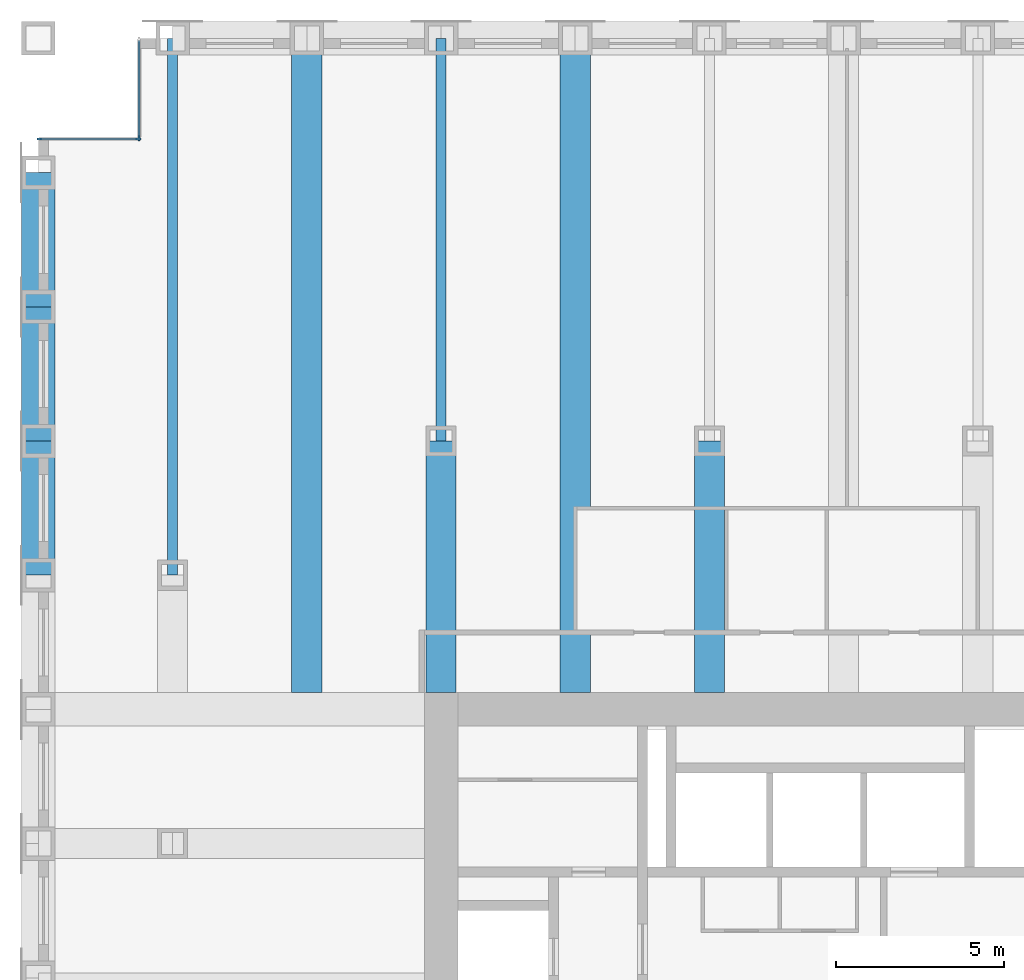
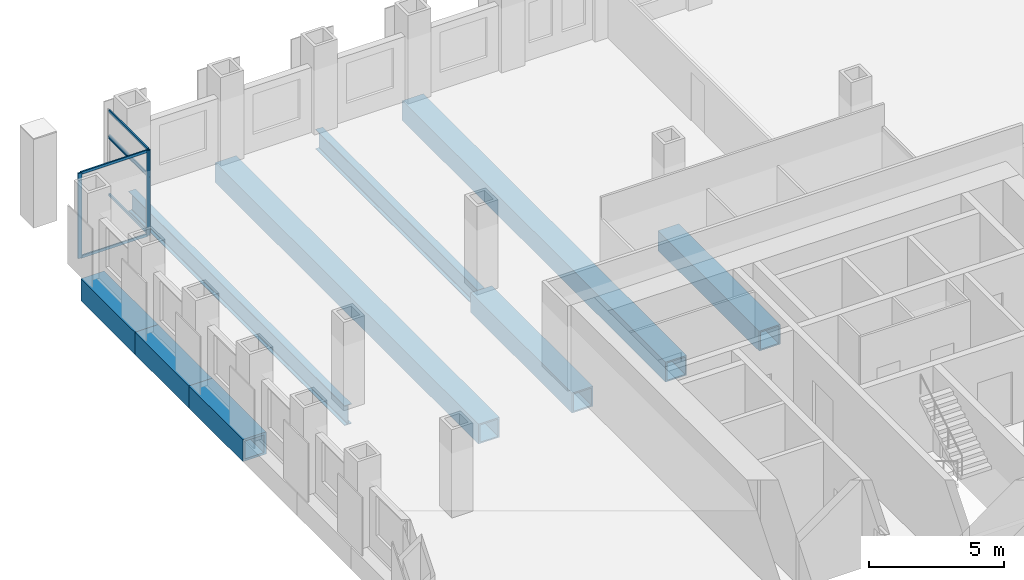
# One storey, part 5 of 13: 10 members, 9 beams, 3 elements without a shape of their own.
"""IFC4 building model written with IfcOpenShell, lengths in metres."""

from ifc_helpers import new_model, si_unit, direction, frame, origin, origin_2d, place, context, subcontext, project, spatial, rectangle, hollow_rectangle, i_section, extrude, material, material_profile, profile_set, type_object, element, aggregate, save


model = new_model("IFC4")

# Units and contexts
model_context = context("Model", 3, precision=1e-05, world=origin(), true_north=direction((0.0, 1.0)))
body_context = subcontext(model_context, "Body", "Model", "MODEL_VIEW")
ifc_project = project(units=[si_unit("LENGTHUNIT", "METRE"), si_unit("AREAUNIT", "SQUARE_METRE"), si_unit("VOLUMEUNIT", "CUBIC_METRE"), si_unit("PLANEANGLEUNIT", "RADIAN"), si_unit("MASSUNIT", "GRAM", prefix="KILO")], contexts=[model_context])

# Site, building, storey
site_placement = place(None, origin())
site = spatial("IfcSite", under=ifc_project, at=site_placement, CompositionType="ELEMENT")
building_placement = place(site_placement, origin())
building = spatial("IfcBuilding", under=site, at=building_placement, Name="Rimbunsela Tower", CompositionType="ELEMENT")
storey_placement = place(building_placement, frame((0.0, 0.0, 199.800048828125)))
storey = spatial("IfcBuildingStorey", under=building, at=storey_placement, Name="L48", CompositionType="ELEMENT", Elevation=199.800048828125)

# Beams
ifc_material_1 = material(Name="Steel BJ 55 (fy 410 MPa)", Category="steel")
ifc_material_profile_1 = material_profile(ifc_material_1, hollow_rectangle(XDim=1.0, YDim=1.0, WallThickness=0.10009765625, at=origin_2d()), Name="BOX 1000x1000x100")
ifc_profile_set_1 = profile_set([ifc_material_profile_1], Name="Steel BJ 55 (fy 410 MPa)")
beam_type_1 = type_object("IfcBeamType", Name="Beam BOX 1000x1000x100", PredefinedType="BEAM", material=ifc_profile_set_1)
for number, where, z_axis, x_axis, name in (
    (1, (6.0, 40.0, -0.650146484375), (0.0, 1.0, 0.0), (-1.0, 0.0, 0.0), "Beam B3 L48"),
    (2, (6.0, 44.0, -0.650146484375), (0.0, 1.0, 0.0), (-1.0, 0.0, 0.0), "Beam B3 L48"),
    (3, (6.0, 48.0, -0.650146484375), (0.0, 1.0, 0.0), (-1.0, 0.0, 0.0), "Beam B3 L48"),
):
    element("IfcBeam", number, at=place(storey_placement, frame(where, z_axis=z_axis, x_axis=x_axis)), inside=storey, type_object=beam_type_1, Name=name, PredefinedType="BEAM", context=body_context, shape_type="SweptSolid", body=[
        extrude(hollow_rectangle(XDim=1.0, YDim=1.0, WallThickness=0.10009765625, at=origin_2d()), origin(), (0.0, 0.0, 1.0), 4.0),
    ])
ifc_material_2 = material(Name="Steel BJ 55 (fy 410 MPa)", Category="steel")
ifc_material_profile_2 = material_profile(ifc_material_2, hollow_rectangle(XDim=0.89990234375, YDim=0.89990234375, WallThickness=0.06005859375, at=origin_2d()), Name="BOX 900x900x60")
ifc_profile_set_2 = profile_set([ifc_material_profile_2], Name="Steel BJ 55 (fy 410 MPa)")
beam_type_2 = type_object("IfcBeamType", Name="Beam BOX 900x900x60", PredefinedType="BEAM", material=ifc_profile_set_2)
beam_1_placement = place(storey_placement, frame((14.0, 36.5, -0.60009765625), z_axis=(0.0, 1.0, 0.0), x_axis=(-1.0, 0.0, 0.0)))
element("IfcBeam", 4, at=beam_1_placement, inside=storey, type_object=beam_type_2, Name="Beam B1 L48", PredefinedType="BEAM", context=body_context, shape_type="SweptSolid", body=[
    extrude(hollow_rectangle(XDim=0.89990234375, YDim=0.89990234375, WallThickness=0.06005859375, at=origin_2d()), origin(), (0.0, 0.0, 1.0), 19.5),
])
beam_2_placement = place(storey_placement, frame((18.0, 36.5, -0.60009765625), z_axis=(0.0, 1.0, 0.0), x_axis=(-1.0, 0.0, 0.0)))
element("IfcBeam", 5, at=beam_2_placement, inside=storey, type_object=beam_type_2, Name="Beam B1 L48", PredefinedType="BEAM", context=body_context, shape_type="SweptSolid", body=[
    extrude(hollow_rectangle(XDim=0.89990234375, YDim=0.89990234375, WallThickness=0.06005859375, at=origin_2d()), origin(), (0.0, 0.0, 1.0), 7.5),
])
beam_3_placement = place(storey_placement, frame((22.0, 36.5, -0.60009765625), z_axis=(0.0, 1.0, 0.0), x_axis=(-1.0, 0.0, 0.0)))
element("IfcBeam", 6, at=beam_3_placement, inside=storey, type_object=beam_type_2, Name="Beam B1 L48", PredefinedType="BEAM", context=body_context, shape_type="SweptSolid", body=[
    extrude(hollow_rectangle(XDim=0.89990234375, YDim=0.89990234375, WallThickness=0.06005859375, at=origin_2d()), origin(), (0.0, 0.0, 1.0), 19.5),
])
beam_4_placement = place(storey_placement, frame((26.0, 36.5, -0.60009765625), z_axis=(0.0, 1.0, 0.0), x_axis=(-1.0, 0.0, 0.0)))
element("IfcBeam", 7, at=beam_4_placement, inside=storey, type_object=beam_type_2, Name="Beam B1 L48", PredefinedType="BEAM", context=body_context, shape_type="SweptSolid", body=[
    extrude(hollow_rectangle(XDim=0.89990234375, YDim=0.89990234375, WallThickness=0.06005859375, at=origin_2d()), origin(), (0.0, 0.0, 1.0), 7.5),
])
ifc_material_3 = material(Name="Steel BJ 55 (fy 410 MPa)", Category="steel")
ifc_material_profile_3 = material_profile(ifc_material_3, i_section(OverallWidth=0.300048828125, OverallDepth=0.89990234375, WebThickness=0.01611328125, FlangeThickness=0.028076171875, FilletRadius=0.028076171875, at=origin_2d()), Name="H 900x300x16x28")
ifc_profile_set_3 = profile_set([ifc_material_profile_3], Name="Steel BJ 55 (fy 410 MPa)")
beam_type_3 = type_object("IfcBeamType", Name="Beam H 900x300x16x28", PredefinedType="BEAM", material=ifc_profile_set_3)
beam_5_placement = place(storey_placement, frame((10.0, 40.0, -0.60009765625), z_axis=(0.0, 1.0, 0.0), x_axis=(-1.0, 0.0, 0.0)))
element("IfcBeam", 8, at=beam_5_placement, inside=storey, type_object=beam_type_3, Name="Beam B2 L48", PredefinedType="BEAM", context=body_context, shape_type="SweptSolid", body=[
    extrude(i_section(OverallWidth=0.300048828125, OverallDepth=0.89990234375, WebThickness=0.01611328125, FlangeThickness=0.028076171875, FilletRadius=0.028076171875, at=origin_2d()), origin(), (0.0, 0.0, 1.0), 16.0),
])
beam_6_placement = place(storey_placement, frame((18.0, 44.0, -0.60009765625), z_axis=(0.0, 1.0, 0.0), x_axis=(-1.0, 0.0, 0.0)))
element("IfcBeam", 9, at=beam_6_placement, inside=storey, type_object=beam_type_3, Name="Beam B2 L48", PredefinedType="BEAM", context=body_context, shape_type="SweptSolid", body=[
    extrude(i_section(OverallWidth=0.300048828125, OverallDepth=0.89990234375, WebThickness=0.01611328125, FlangeThickness=0.028076171875, FilletRadius=0.028076171875, at=origin_2d()), origin(), (0.0, 0.0, 1.0), 12.0),
])

# Curtain wall, member
ifc_material_4 = material(Name="Aluminium curtain wall", Category="aluminium")
curtain_wall_type_1 = type_object("IfcCurtainWallType", Name="Corner glazing", PredefinedType="USERDEFINED", material=ifc_material_4)
curtain_wall_1_placement = place(storey_placement, origin())
curtain_wall_1 = element("IfcCurtainWall", 10, at=curtain_wall_1_placement, inside=storey, type_object=curtain_wall_type_1, Name="Corner glazing L48", ObjectType="CORNER GLAZING", PredefinedType="USERDEFINED")
ifc_material_5 = material(Name="Aluminium mullion", Category="aluminium")
ifc_material_profile_4 = material_profile(ifc_material_5, rectangle(XDim=0.06005859375, YDim=0.159912109375, at=origin_2d()), Name="Mullion 60x160")
ifc_profile_set_4 = profile_set([ifc_material_profile_4], Name="Aluminium mullion")
member_type_1 = type_object("IfcMemberType", Name="Curtain wall mullion 60x160", PredefinedType="MULLION", material=ifc_profile_set_4)
member_1_placement = place(storey_placement, frame((9.0, 53.030029296875, 0.0), z_axis=(0.0, 0.0, 1.0), x_axis=(1.0, 0.0, 0.0)))
member_1 = element("IfcMember", 11, at=member_1_placement, type_object=member_type_1, Name="CW5 mullion 2", PredefinedType="MULLION", context=body_context, shape_type="SweptSolid", body=[
    extrude(rectangle(XDim=0.06005859375, YDim=0.159912109375, at=origin_2d()), origin(), (0.0, 0.0, 1.0), 2.64990234375),
])

ifc_material_6 = material(Name="Aluminium curtain wall", Category="aluminium")
curtain_wall_type_2 = type_object("IfcCurtainWallType", Name="Spandrel wall", PredefinedType="USERDEFINED", material=ifc_material_6)
curtain_wall_2_placement = place(storey_placement, origin())
curtain_wall_2 = element("IfcCurtainWall", 12, at=curtain_wall_2_placement, inside=storey, type_object=curtain_wall_type_2, Name="Spandrel wall L48", ObjectType="SPANDREL WALL", PredefinedType="USERDEFINED")
member_2_placement = place(storey_placement, frame((9.0, 53.030029296875, 2.64990234375), z_axis=(0.0, 0.0, 1.0), x_axis=(1.0, 0.0, 0.0)))
member_2 = element("IfcMember", 13, at=member_2_placement, type_object=member_type_1, Name="CW7 mullion 2", PredefinedType="MULLION", context=body_context, shape_type="SweptSolid", body=[
    extrude(rectangle(XDim=0.06005859375, YDim=0.159912109375, at=origin_2d()), origin(), (0.0, 0.0, 1.0), 1.199951171875),
])

# Curtain wall, members
curtain_wall_3_placement = place(storey_placement, origin())
curtain_wall_3 = element("IfcCurtainWall", 14, at=curtain_wall_3_placement, inside=storey, type_object=curtain_wall_type_1, Name="Corner glazing L48", ObjectType="CORNER GLAZING", PredefinedType="USERDEFINED")
member_3_placement = place(storey_placement, frame((8.969970703125, 53.0, 0.0), z_axis=(0.0, 0.0, 1.0), x_axis=(0.0, -1.0, 0.0)))
member_3 = element("IfcMember", 15, at=member_3_placement, type_object=member_type_1, Name="CW5 mullion 1", PredefinedType="MULLION", context=body_context, shape_type="SweptSolid", body=[
    extrude(rectangle(XDim=0.06005859375, YDim=0.159912109375, at=origin_2d()), origin(), (0.0, 0.0, 1.0), 3.849853515625),
])
member_4_placement = place(storey_placement, frame((6.030029296875, 53.0, 0.0), z_axis=(0.0, 0.0, 1.0), x_axis=(0.0, -1.0, 0.0)))
member_4 = element("IfcMember", 16, at=member_4_placement, type_object=member_type_1, Name="CW5 mullion 2", PredefinedType="MULLION", context=body_context, shape_type="SweptSolid", body=[
    extrude(rectangle(XDim=0.06005859375, YDim=0.159912109375, at=origin_2d()), origin(), (0.0, 0.0, 1.0), 3.849853515625),
])

# Member
ifc_material_7 = material(Name="Aluminium transom", Category="aluminium")
ifc_material_profile_5 = material_profile(ifc_material_7, rectangle(XDim=0.06005859375, YDim=0.1201171875, at=origin_2d()), Name="Transom 60x120")
ifc_profile_set_5 = profile_set([ifc_material_profile_5], Name="Aluminium transom")
member_type_2 = type_object("IfcMemberType", Name="Curtain wall transom 60x120", PredefinedType="USERDEFINED", material=ifc_profile_set_5)
member_5_placement = place(storey_placement, frame((9.0, 55.93994140625, 0.030029296875), z_axis=(0.0, -1.0, 0.0), x_axis=(1.0, 0.0, 0.0)))
member_5 = element("IfcMember", 17, at=member_5_placement, type_object=member_type_2, Name="CW5 transom 1.1", ObjectType="TRANSOM", PredefinedType="USERDEFINED", context=body_context, shape_type="SweptSolid", body=[
    extrude(rectangle(XDim=0.06005859375, YDim=0.1201171875, at=origin_2d()), origin(), (0.0, 0.0, 1.0), 2.8798828125),
])

member_6_placement = place(storey_placement, frame((9.0, 55.93994140625, 2.619873046875), z_axis=(0.0, -1.0, 0.0), x_axis=(1.0, 0.0, 0.0)))
member_6 = element("IfcMember", 18, at=member_6_placement, type_object=member_type_2, Name="CW5 transom 1.2", ObjectType="TRANSOM", PredefinedType="USERDEFINED", context=body_context, shape_type="SweptSolid", body=[
    extrude(rectangle(XDim=0.06005859375, YDim=0.1201171875, at=origin_2d()), origin(), (0.0, 0.0, 1.0), 2.8798828125),
])

aggregate(curtain_wall_1, [member_1, member_5, member_6])

member_7_placement = place(storey_placement, frame((9.0, 55.93994140625, 2.679931640625), z_axis=(0.0, -1.0, 0.0), x_axis=(1.0, 0.0, 0.0)))
member_7 = element("IfcMember", 19, at=member_7_placement, type_object=member_type_2, Name="CW7 transom 1.1", ObjectType="TRANSOM", PredefinedType="USERDEFINED", context=body_context, shape_type="SweptSolid", body=[
    extrude(rectangle(XDim=0.06005859375, YDim=0.1201171875, at=origin_2d()), origin(), (0.0, 0.0, 1.0), 2.8798828125),
])

member_8_placement = place(storey_placement, frame((9.0, 55.93994140625, 3.820068359375), z_axis=(0.0, -1.0, 0.0), x_axis=(1.0, 0.0, 0.0)))
member_8 = element("IfcMember", 20, at=member_8_placement, type_object=member_type_2, Name="CW7 transom 1.2", ObjectType="TRANSOM", PredefinedType="USERDEFINED", context=body_context, shape_type="SweptSolid", body=[
    extrude(rectangle(XDim=0.06005859375, YDim=0.1201171875, at=origin_2d()), origin(), (0.0, 0.0, 1.0), 2.8798828125),
])

aggregate(curtain_wall_2, [member_2, member_7, member_8])

member_9_placement = place(storey_placement, frame((8.93994140625, 53.0, 0.030029296875), z_axis=(-1.0, 0.0, 0.0), x_axis=(0.0, -1.0, 0.0)))
member_9 = element("IfcMember", 21, at=member_9_placement, type_object=member_type_2, Name="CW5 transom 1.1", ObjectType="TRANSOM", PredefinedType="USERDEFINED", context=body_context, shape_type="SweptSolid", body=[
    extrude(rectangle(XDim=0.06005859375, YDim=0.1201171875, at=origin_2d()), origin(), (0.0, 0.0, 1.0), 2.8798828125),
])

member_10_placement = place(storey_placement, frame((8.93994140625, 53.0, 3.820068359375), z_axis=(-1.0, 0.0, 0.0), x_axis=(0.0, -1.0, 0.0)))
member_10 = element("IfcMember", 22, at=member_10_placement, type_object=member_type_2, Name="CW5 transom 1.2", ObjectType="TRANSOM", PredefinedType="USERDEFINED", context=body_context, shape_type="SweptSolid", body=[
    extrude(rectangle(XDim=0.06005859375, YDim=0.1201171875, at=origin_2d()), origin(), (0.0, 0.0, 1.0), 2.8798828125),
])

aggregate(curtain_wall_3, [member_3, member_4, member_9, member_10])

save(model, "model.ifc")
